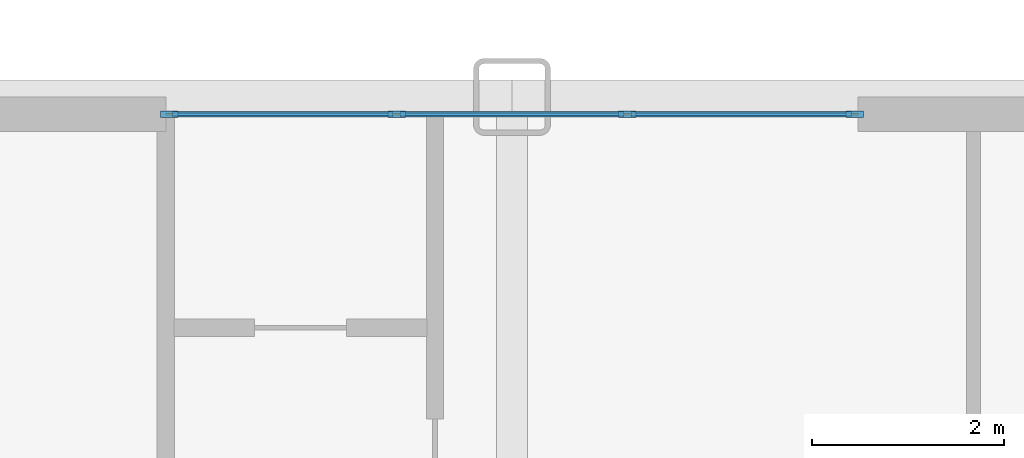
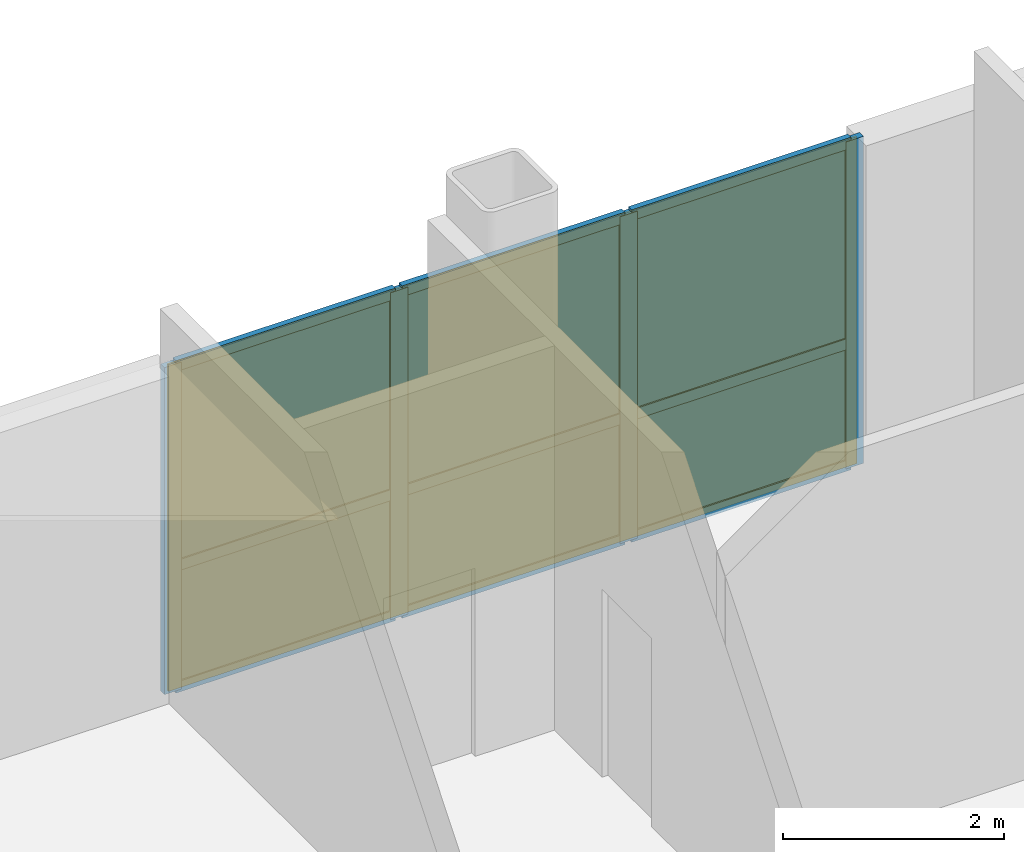
# One storey, part 10 of 15: 13 members, 6 plates, 1 curtain wall.
"""IFC4 building model written with IfcOpenShell, lengths in metres."""

import ifcopenshell
import ifcopenshell.guid

model = None  # the IFC model being written
_history = None  # IfcOwnerHistory: only IFC2X3 demands one
_inside = {}  # id of a spatial element -> (the spatial element, [elements in it])
_under = {}  # id of a project, library or spatial element -> (it, [spatial elements below it])
_declared = {}  # id of a project -> (the project, [libraries it declares])
_typed = {}  # id of a type object -> (the type object, [elements of that type])
_made_of = {}  # id of a material, layer set ... -> (it, [elements and type objects made of it])


def new_model(schema):
    """Start an empty IFC model of exactly this schema.

    Asked for "IFC4X3", IfcOpenShell would pick the latest addendum, in which some entities
    have other attributes; the version numbers below select the first issue.
    IFC2X3 requires an IfcOwnerHistory on every rooted entity: one is made here for all.
    """
    global model, _history
    if schema == "IFC4X3":
        model = ifcopenshell.file(schema_version=(4, 3, 0, 0))
    else:
        model = ifcopenshell.file(schema=schema)
    _inside.clear()
    _under.clear()
    _declared.clear()
    _typed.clear()
    _made_of.clear()
    _history = None
    if model.schema == "IFC2X3":
        org = make("IfcOrganization", Name="unknown")
        user = make(
            "IfcPersonAndOrganization",
            ThePerson=make("IfcPerson", FamilyName="unknown"),
            TheOrganization=org,
        )
        app = make(
            "IfcApplication",
            ApplicationDeveloper=org,
            Version="unknown",
            ApplicationFullName="unknown",
            ApplicationIdentifier="unknown",
        )
        _history = make(
            "IfcOwnerHistory",
            OwningUser=user,
            OwningApplication=app,
            ChangeAction="ADDED",
            CreationDate=0,
        )
    return model


def make(cls, **values):
    """One entity of the class cls with the attributes given. An attribute that is None is left unset."""
    return model.create_entity(
        cls, **{name: value for name, value in values.items() if value is not None}
    )


def rooted(cls, **values):
    """An entity with a GlobalId (a new one), such as an element, a storey or a relation."""
    return make(cls, GlobalId=ifcopenshell.guid.new(), OwnerHistory=_history, **values)


def si_unit(unit_type, name, prefix=None):
    """IfcSIUnit, for example si_unit("LENGTHUNIT", "METRE", prefix="MILLI")."""
    return make("IfcSIUnit", UnitType=unit_type, Prefix=prefix, Name=name)


def assignment(units):
    """IfcUnitAssignment: the units of a project."""
    return None if units is None else make("IfcUnitAssignment", Units=units)


def point(xyz):
    """IfcCartesianPoint."""
    return None if xyz is None else make("IfcCartesianPoint", Coordinates=xyz)


def direction(xyz):
    """IfcDirection."""
    return None if xyz is None else make("IfcDirection", DirectionRatios=xyz)


def frame(location, z_axis=None, x_axis=None):
    """IfcAxis2Placement3D, a coordinate frame: its origin and axes. An axis left out is left unset."""
    return make(
        "IfcAxis2Placement3D",
        Location=point(location),
        Axis=direction(z_axis),
        RefDirection=direction(x_axis),
    )


def frame_2d(location, x_axis=None):
    """IfcAxis2Placement2D, a coordinate frame in the plane: its origin and x axis."""
    return make(
        "IfcAxis2Placement2D", Location=point(location), RefDirection=direction(x_axis)
    )


def origin():
    """The frame at (0, 0, 0) with its axes left unset."""
    return frame((0.0, 0.0, 0.0))


def origin_2d():
    """The frame at (0, 0) in the plane with its x axis left unset."""
    return frame_2d((0.0, 0.0))


def place(relative_to, where):
    """IfcLocalPlacement: puts the frame where relative to a parent placement (None: the world)."""
    return make(
        "IfcLocalPlacement", PlacementRelTo=relative_to, RelativePlacement=where
    )


def context(
    kind, dimensions, precision=None, world=None, true_north=None, identifier=None
):
    """IfcGeometricRepresentationContext, for example the 3D "Model" context."""
    return make(
        "IfcGeometricRepresentationContext",
        ContextIdentifier=identifier,
        ContextType=kind,
        CoordinateSpaceDimension=dimensions,
        Precision=precision,
        WorldCoordinateSystem=world,
        TrueNorth=true_north,
    )


def subcontext(parent, identifier, kind, view, scale=None):
    """IfcGeometricRepresentationSubContext, for example "Body" below "Model"."""
    return make(
        "IfcGeometricRepresentationSubContext",
        ContextIdentifier=identifier,
        ContextType=kind,
        ParentContext=parent,
        TargetScale=scale,
        TargetView=view,
    )


def project(units=None, contexts=None):
    """IfcProject with its units and contexts."""
    return rooted(
        "IfcProject",
        Name="project",
        RepresentationContexts=contexts,
        UnitsInContext=assignment(units),
    )


def spatial(cls, under=None, at=None, **own):
    """A site, building, storey or space (cls), placed at a placement, below another one or the project."""
    s = rooted(cls, ObjectPlacement=at, **own)
    if under is not None:
        _under.setdefault(under.id(), (under, []))[1].append(s)
    return s


def profile(cls, at=None, kind="AREA", **sizes):
    """A parametric profile (cls). Its sizes go by their IFC names, for example OverallWidth=200.0."""
    return make(cls, ProfileType=kind, Position=at, **sizes)


def rectangle(**sizes):
    """IfcRectangleProfileDef."""
    return profile("IfcRectangleProfileDef", **sizes)


def extrude(swept, where, along, depth):
    """IfcExtrudedAreaSolid: the profile swept, set in the frame where, extruded along a direction by depth."""
    return make(
        "IfcExtrudedAreaSolid",
        SweptArea=swept,
        Position=where,
        ExtrudedDirection=direction(along),
        Depth=depth,
    )


def shape(context_of_items, identifier, shape_type, items):
    """IfcShapeRepresentation: the items that make up one representation, for example the "Body"."""
    return make(
        "IfcShapeRepresentation",
        ContextOfItems=context_of_items,
        RepresentationIdentifier=identifier,
        RepresentationType=shape_type,
        Items=items,
    )


def source(mapping_origin, context_of_items, identifier, shape_type, items):
    """IfcRepresentationMap: a shape defined once, which mapped items show again and again."""
    return make(
        "IfcRepresentationMap",
        MappingOrigin=mapping_origin,
        MappedRepresentation=shape(context_of_items, identifier, shape_type, items),
    )


def transform(
    local_origin,
    x_axis=None,
    y_axis=None,
    z_axis=None,
    scale=None,
    scale2=None,
    scale3=None,
    uniform=True,
):
    """IfcCartesianTransformationOperator3D, or its non-uniform kind. x_axis, y_axis, z_axis: its Axis1, 2, 3."""
    if uniform:
        return make(
            "IfcCartesianTransformationOperator3D",
            Axis1=direction(x_axis),
            Axis2=direction(y_axis),
            LocalOrigin=point(local_origin),
            Scale=scale,
            Axis3=direction(z_axis),
        )
    return make(
        "IfcCartesianTransformationOperator3DnonUniform",
        Axis1=direction(x_axis),
        Axis2=direction(y_axis),
        LocalOrigin=point(local_origin),
        Scale=scale,
        Axis3=direction(z_axis),
        Scale2=scale2,
        Scale3=scale3,
    )


def mapped(mapping_source, mapping_target):
    """IfcMappedItem: shows the shape of a source again, moved by a transform."""
    return make(
        "IfcMappedItem", MappingSource=mapping_source, MappingTarget=mapping_target
    )


def material(Name=None, Category=None):
    """IfcMaterial."""
    return make("IfcMaterial", Name=Name, Category=Category)


def layer(
    of_material, thickness, ventilated=None, Name=None, Category=None, Priority=None
):
    """IfcMaterialLayer: one layer of a wall or slab, of a material (None: an air gap)."""
    return make(
        "IfcMaterialLayer",
        Material=of_material,
        LayerThickness=thickness,
        IsVentilated=ventilated,
        Name=Name,
        Category=Category,
        Priority=Priority,
    )


def layer_set(layers, Name=None):
    """IfcMaterialLayerSet."""
    return make("IfcMaterialLayerSet", MaterialLayers=layers, LayerSetName=Name)


def material_profile(
    of_material, cross_section, Name=None, Category=None, Priority=None
):
    """IfcMaterialProfile: a cross section and its material."""
    return make(
        "IfcMaterialProfile",
        Name=Name,
        Material=of_material,
        Profile=cross_section,
        Priority=Priority,
        Category=Category,
    )


def profile_set(profiles, Name=None, composite=None):
    """IfcMaterialProfileSet."""
    return make(
        "IfcMaterialProfileSet",
        Name=Name,
        MaterialProfiles=profiles,
        CompositeProfile=composite,
    )


def made_of(thing, what):
    """Note that an element or type object is made of a material, layer set ...; save() writes the relation."""
    if what is not None:
        _made_of.setdefault(what.id(), (what, []))[1].append(thing)
    return thing


def type_object(cls, material=None, **own):
    """A type object (cls), such as IfcWallType, which elements share."""
    return made_of(rooted(cls, **own), material)


def type_shapes(of_type, sources):
    """Give a type object the sources (RepresentationMaps) that its elements show as mapped items."""
    of_type.RepresentationMaps = sources


def element(
    cls,
    number,
    at=None,
    inside=None,
    cuts=None,
    type_object=None,
    material=None,
    context=None,
    identifier="Body",
    shape_type=None,
    held_by="IfcProductDefinitionShape",
    body=None,
    shapes=None,
    **own,
):
    """One element of the class cls, such as IfcWall. Its Tag is "e" and its number.

    at: its placement. inside: the storey or other place that contains it. cuts: it is an
    opening in that element (IfcRelVoidsElement). A single representation is given by context,
    identifier, shape_type and body (its items); several are given by shapes. held_by: the class
    of the entity that holds the representations. save() writes the other relations.
    """
    e = rooted(cls, Tag="e%d" % number, ObjectPlacement=at, **own)
    if body is not None:
        shapes = [shape(context, identifier, shape_type, body)]
    if shapes is not None:
        e.Representation = make(held_by, Representations=shapes)
    if inside is not None:
        _inside.setdefault(inside.id(), (inside, []))[1].append(e)
    if cuts is not None:
        rooted(
            "IfcRelVoidsElement", RelatingBuildingElement=cuts, RelatedOpeningElement=e
        )
    if type_object is not None:
        _typed.setdefault(type_object.id(), (type_object, []))[1].append(e)
    return made_of(e, material)


def aggregate(whole, parts):
    """IfcRelAggregates: a whole, such as a stair, and the parts it consists of."""
    return rooted("IfcRelAggregates", RelatingObject=whole, RelatedObjects=parts)


def save(model, path):
    """Write the relations noted so far, then the file.

    IfcRelAggregates (storeys below a building ...), IfcRelContainedInSpatialStructure (elements
    in a storey), IfcRelDefinesByType, IfcRelAssociatesMaterial and IfcRelDeclares: one each for
    every whole, place, type object, material and project.
    """
    for whole, parts in _under.values():
        aggregate(whole, parts)
    for where, things in _inside.values():
        rooted(
            "IfcRelContainedInSpatialStructure",
            RelatedElements=things,
            RelatingStructure=where,
        )
    for kind, things in _typed.values():
        rooted("IfcRelDefinesByType", RelatedObjects=things, RelatingType=kind)
    for what, things in _made_of.values():
        rooted("IfcRelAssociatesMaterial", RelatedObjects=things, RelatingMaterial=what)
    for by, libraries in _declared.values():
        rooted("IfcRelDeclares", RelatingContext=by, RelatedDefinitions=libraries)
    model.write(path)


model = new_model("IFC4")

# Units and contexts
model_context = context("Model", 3, precision=1e-05, world=origin(), true_north=direction((0.0, 1.0)))
body_context = subcontext(model_context, "Body", "Model", "MODEL_VIEW")
ifc_project = project(units=[si_unit("LENGTHUNIT", "METRE"), si_unit("AREAUNIT", "SQUARE_METRE"), si_unit("VOLUMEUNIT", "CUBIC_METRE"), si_unit("PLANEANGLEUNIT", "RADIAN"), si_unit("MASSUNIT", "GRAM", prefix="KILO")], contexts=[model_context])

# Member
ifc_material_1 = material(Name="Anodised aluminium 6063-T6", Category="aluminium")
ifc_material_profile_1 = material_profile(ifc_material_1, rectangle(XDim=0.070068359375, YDim=0.179931640625, at=origin_2d()), Name="ALU-MULL-70x180")
ifc_profile_set_1 = profile_set([ifc_material_profile_1], Name="Anodised aluminium 6063-T6")
member_type_1 = type_object("IfcMemberType", Name="CWM-2", PredefinedType="MULLION", material=ifc_profile_set_1)
site_placement = place(None, origin())
building_placement = place(site_placement, origin())
storey_placement = place(building_placement, frame((0.0, 0.0, 9.199951171875)))
member_1_placement = place(storey_placement, frame((-22.56494140625, 25.820068359375, 0.0), z_axis=(0.0, 0.0, 1.0), x_axis=(0.0, 1.0, 0.0)))
member_1 = element("IfcMember", 1, at=member_1_placement, type_object=member_type_1, Name="CWS-2 mullion 1", PredefinedType="MULLION", context=body_context, shape_type="SweptSolid", body=[
    extrude(rectangle(XDim=0.070068359375, YDim=0.179931640625, at=origin_2d()), origin(), (0.0, 0.0, 1.0), 3.614990234375),
])

member_2_placement = place(storey_placement, frame((-20.199951171875, 25.820068359375, 0.0), z_axis=(0.0, 0.0, 1.0), x_axis=(0.0, 1.0, 0.0)))
member_2 = element("IfcMember", 2, at=member_2_placement, type_object=member_type_1, Name="CWS-2 mullion 2", PredefinedType="MULLION", context=body_context, shape_type="SweptSolid", body=[
    extrude(rectangle(XDim=0.070068359375, YDim=0.179931640625, at=origin_2d()), origin(), (0.0, 0.0, 1.0), 3.614990234375),
])

member_3_placement = place(storey_placement, frame((-17.800048828125, 25.820068359375, 0.0), z_axis=(0.0, 0.0, 1.0), x_axis=(0.0, 1.0, 0.0)))
member_3 = element("IfcMember", 3, at=member_3_placement, type_object=member_type_1, Name="CWS-2 mullion 3", PredefinedType="MULLION", context=body_context, shape_type="SweptSolid", body=[
    extrude(rectangle(XDim=0.070068359375, YDim=0.179931640625, at=origin_2d()), origin(), (0.0, 0.0, 1.0), 3.614990234375),
])

member_4_placement = place(storey_placement, frame((-15.43505859375, 25.820068359375, 0.0), z_axis=(0.0, 0.0, 1.0), x_axis=(0.0, 1.0, 0.0)))
member_4 = element("IfcMember", 4, at=member_4_placement, type_object=member_type_1, Name="CWS-2 mullion 4", PredefinedType="MULLION", context=body_context, shape_type="SweptSolid", body=[
    extrude(rectangle(XDim=0.070068359375, YDim=0.179931640625, at=origin_2d()), origin(), (0.0, 0.0, 1.0), 3.614990234375),
])

ifc_material_profile_2 = material_profile(ifc_material_1, rectangle(XDim=0.06005859375, YDim=0.1201171875, at=origin_2d()), Name="ALU-TRAN-60x120")
ifc_profile_set_2 = profile_set([ifc_material_profile_2], Name="Anodised aluminium 6063-T6")
member_type_2 = type_object("IfcMemberType", Name="CWT-2", PredefinedType="USERDEFINED", material=ifc_profile_set_2)
member_5_placement = place(storey_placement, frame((-22.530029296875, 25.820068359375, 0.030029296875), z_axis=(1.0, 0.0, 0.0), x_axis=(0.0, 1.0, 0.0)))
member_5 = element("IfcMember", 5, at=member_5_placement, type_object=member_type_2, Name="CWS-2 transom 1.1", ObjectType="TRANSOM", PredefinedType="USERDEFINED", context=body_context, shape_type="SweptSolid", body=[
    extrude(rectangle(XDim=0.06005859375, YDim=0.1201171875, at=origin_2d()), origin(), (0.0, 0.0, 1.0), 2.294921875),
])

member_6_placement = place(storey_placement, frame((-22.530029296875, 25.820068359375, 1.373779296875), z_axis=(1.0, 0.0, 0.0), x_axis=(0.0, 1.0, 0.0)))
member_6 = element("IfcMember", 6, at=member_6_placement, type_object=member_type_2, Name="CWS-2 transom 1.2", ObjectType="TRANSOM", PredefinedType="USERDEFINED", context=body_context, shape_type="SweptSolid", body=[
    extrude(rectangle(XDim=0.06005859375, YDim=0.1201171875, at=origin_2d()), origin(), (0.0, 0.0, 1.0), 2.294921875),
])

member_7_placement = place(storey_placement, frame((-22.530029296875, 25.820068359375, 3.5849609375), z_axis=(1.0, 0.0, 0.0), x_axis=(0.0, 1.0, 0.0)))
member_7 = element("IfcMember", 7, at=member_7_placement, type_object=member_type_2, Name="CWS-2 transom 1.3", ObjectType="TRANSOM", PredefinedType="USERDEFINED", context=body_context, shape_type="SweptSolid", body=[
    extrude(rectangle(XDim=0.06005859375, YDim=0.1201171875, at=origin_2d()), origin(), (0.0, 0.0, 1.0), 2.294921875),
])

member_8_placement = place(storey_placement, frame((-20.1650390625, 25.820068359375, 0.030029296875), z_axis=(1.0, 0.0, 0.0), x_axis=(0.0, 1.0, 0.0)))
member_8 = element("IfcMember", 8, at=member_8_placement, type_object=member_type_2, Name="CWS-2 transom 2.1", ObjectType="TRANSOM", PredefinedType="USERDEFINED", context=body_context, shape_type="SweptSolid", body=[
    extrude(rectangle(XDim=0.06005859375, YDim=0.1201171875, at=origin_2d()), origin(), (0.0, 0.0, 1.0), 2.330078125),
])

member_9_placement = place(storey_placement, frame((-20.1650390625, 25.820068359375, 1.373779296875), z_axis=(1.0, 0.0, 0.0), x_axis=(0.0, 1.0, 0.0)))
member_9 = element("IfcMember", 9, at=member_9_placement, type_object=member_type_2, Name="CWS-2 transom 2.2", ObjectType="TRANSOM", PredefinedType="USERDEFINED", context=body_context, shape_type="SweptSolid", body=[
    extrude(rectangle(XDim=0.06005859375, YDim=0.1201171875, at=origin_2d()), origin(), (0.0, 0.0, 1.0), 2.330078125),
])

member_10_placement = place(storey_placement, frame((-20.1650390625, 25.820068359375, 3.5849609375), z_axis=(1.0, 0.0, 0.0), x_axis=(0.0, 1.0, 0.0)))
member_10 = element("IfcMember", 10, at=member_10_placement, type_object=member_type_2, Name="CWS-2 transom 2.3", ObjectType="TRANSOM", PredefinedType="USERDEFINED", context=body_context, shape_type="SweptSolid", body=[
    extrude(rectangle(XDim=0.06005859375, YDim=0.1201171875, at=origin_2d()), origin(), (0.0, 0.0, 1.0), 2.330078125),
])

member_11_placement = place(storey_placement, frame((-17.764892578125, 25.820068359375, 0.030029296875), z_axis=(1.0, 0.0, 0.0), x_axis=(0.0, 1.0, 0.0)))
member_11 = element("IfcMember", 11, at=member_11_placement, type_object=member_type_2, Name="CWS-2 transom 3.1", ObjectType="TRANSOM", PredefinedType="USERDEFINED", context=body_context, shape_type="SweptSolid", body=[
    extrude(rectangle(XDim=0.06005859375, YDim=0.1201171875, at=origin_2d()), origin(), (0.0, 0.0, 1.0), 2.294921875),
])

member_12_placement = place(storey_placement, frame((-17.764892578125, 25.820068359375, 1.373779296875), z_axis=(1.0, 0.0, 0.0), x_axis=(0.0, 1.0, 0.0)))
member_12 = element("IfcMember", 12, at=member_12_placement, type_object=member_type_2, Name="CWS-2 transom 3.2", ObjectType="TRANSOM", PredefinedType="USERDEFINED", context=body_context, shape_type="SweptSolid", body=[
    extrude(rectangle(XDim=0.06005859375, YDim=0.1201171875, at=origin_2d()), origin(), (0.0, 0.0, 1.0), 2.294921875),
])

member_13_placement = place(storey_placement, frame((-17.764892578125, 25.820068359375, 3.5849609375), z_axis=(1.0, 0.0, 0.0), x_axis=(0.0, 1.0, 0.0)))
member_13 = element("IfcMember", 13, at=member_13_placement, type_object=member_type_2, Name="CWS-2 transom 3.3", ObjectType="TRANSOM", PredefinedType="USERDEFINED", context=body_context, shape_type="SweptSolid", body=[
    extrude(rectangle(XDim=0.06005859375, YDim=0.1201171875, at=origin_2d()), origin(), (0.0, 0.0, 1.0), 2.294921875),
])

# Plate
ifc_material_2 = material(Name="Insulated solar-control glass", Category="glass")
ifc_layer_1 = layer(ifc_material_2, 0.030029296875, Name="CWP-2")
ifc_layer_set_1 = layer_set([ifc_layer_1], Name="Insulated solar-control glass")
plate_type = type_object("IfcPlateType", Name="CWP-2", PredefinedType="CURTAIN_PANEL", material=ifc_layer_set_1)
shared_shape_1 = source(origin(), body_context, "Body", "SweptSolid", [
    extrude(rectangle(XDim=2.294921875, YDim=0.030029296875, at=origin_2d()), origin(), (0.0, 0.0, 1.0), 1.28369140625),
])
plate_1_placement = place(storey_placement, frame((-21.382568359375, 25.820068359375, 0.06005859375), z_axis=(0.0, 0.0, 1.0), x_axis=(1.0, 0.0, 0.0)))
plate_1 = element("IfcPlate", 14, at=plate_1_placement, type_object=plate_type, Name="CWS-2 panel 1.1", PredefinedType="CURTAIN_PANEL", context=body_context, shape_type="MappedRepresentation", body=[
    mapped(shared_shape_1, transform((0.0, 0.0, 0.0), scale=1.0)),
])

plate_2_placement = place(storey_placement, frame((-16.617431640625, 25.820068359375, 0.06005859375), z_axis=(0.0, 0.0, 1.0), x_axis=(1.0, 0.0, 0.0)))
plate_2 = element("IfcPlate", 15, at=plate_2_placement, type_object=plate_type, Name="CWS-2 panel 3.1", PredefinedType="CURTAIN_PANEL", context=body_context, shape_type="MappedRepresentation", body=[
    mapped(shared_shape_1, transform((0.0, 0.0, 0.0), scale=1.0)),
])

shared_shape_2 = source(origin(), body_context, "Body", "SweptSolid", [
    extrude(rectangle(XDim=2.294921875, YDim=0.030029296875, at=origin_2d()), origin(), (0.0, 0.0, 1.0), 2.1513671875),
])
plate_3_placement = place(storey_placement, frame((-21.382568359375, 25.820068359375, 1.40380859375), z_axis=(0.0, 0.0, 1.0), x_axis=(1.0, 0.0, 0.0)))
plate_3 = element("IfcPlate", 16, at=plate_3_placement, type_object=plate_type, Name="CWS-2 panel 1.2", PredefinedType="CURTAIN_PANEL", context=body_context, shape_type="MappedRepresentation", body=[
    mapped(shared_shape_2, transform((0.0, 0.0, 0.0), scale=1.0)),
])

plate_4_placement = place(storey_placement, frame((-16.617431640625, 25.820068359375, 1.40380859375), z_axis=(0.0, 0.0, 1.0), x_axis=(1.0, 0.0, 0.0)))
plate_4 = element("IfcPlate", 17, at=plate_4_placement, type_object=plate_type, Name="CWS-2 panel 3.2", PredefinedType="CURTAIN_PANEL", context=body_context, shape_type="MappedRepresentation", body=[
    mapped(shared_shape_2, transform((0.0, 0.0, 0.0), scale=1.0)),
])

shared_shape_3 = source(origin(), body_context, "Body", "SweptSolid", [
    extrude(rectangle(XDim=2.330078125, YDim=0.030029296875, at=origin_2d()), origin(), (0.0, 0.0, 1.0), 1.28369140625),
])
plate_5_placement = place(storey_placement, frame((-19.0, 25.820068359375, 0.06005859375), z_axis=(0.0, 0.0, 1.0), x_axis=(1.0, 0.0, 0.0)))
plate_5 = element("IfcPlate", 18, at=plate_5_placement, type_object=plate_type, Name="CWS-2 panel 2.1", PredefinedType="CURTAIN_PANEL", context=body_context, shape_type="MappedRepresentation", body=[
    mapped(shared_shape_3, transform((0.0, 0.0, 0.0), scale=1.0)),
])

shared_shape_4 = source(origin(), body_context, "Body", "SweptSolid", [
    extrude(rectangle(XDim=2.330078125, YDim=0.030029296875, at=origin_2d()), origin(), (0.0, 0.0, 1.0), 2.1513671875),
])
type_shapes(plate_type, [shared_shape_1, shared_shape_2, shared_shape_3, shared_shape_4])
plate_6_placement = place(storey_placement, frame((-19.0, 25.820068359375, 1.40380859375), z_axis=(0.0, 0.0, 1.0), x_axis=(1.0, 0.0, 0.0)))
plate_6 = element("IfcPlate", 19, at=plate_6_placement, type_object=plate_type, Name="CWS-2 panel 2.2", PredefinedType="CURTAIN_PANEL", context=body_context, shape_type="MappedRepresentation", body=[
    mapped(shared_shape_4, transform((0.0, 0.0, 0.0), scale=1.0)),
])

# Site, building, storey
site = spatial("IfcSite", under=ifc_project, at=site_placement, CompositionType="ELEMENT")
building = spatial("IfcBuilding", under=site, at=building_placement, Name="Nuvemarco Arch Tower", CompositionType="ELEMENT")
storey = spatial("IfcBuildingStorey", under=building, at=storey_placement, Name="L02", CompositionType="ELEMENT", Elevation=9.199951171875)

# Curtain wall
ifc_layer_2 = layer(ifc_material_2, 0.179931640625, Name="CW-SYS-2")
ifc_layer_set_2 = layer_set([ifc_layer_2], Name="Insulated solar-control glass")
curtain_wall_type = type_object("IfcCurtainWallType", Name="CW-SYS-2", PredefinedType="NOTDEFINED", material=ifc_layer_set_2)
curtain_wall_placement = place(storey_placement, frame((-22.60009765625, 25.820068359375, 0.0), z_axis=(0.0, 0.0, 1.0), x_axis=(1.0, 0.0, 0.0)))
curtain_wall = element("IfcCurtainWall", 20, at=curtain_wall_placement, inside=storey, type_object=curtain_wall_type, Name="L02 curtain wall CWS-2", PredefinedType="NOTDEFINED", context=body_context, shape_type="SweptSolid", body=[
    extrude(rectangle(XDim=7.2001953125, YDim=0.02001953125, at=frame_2d((3.60009765625, 0.0))), origin(), (0.0, 0.0, 1.0), 3.614990234375),
])

aggregate(curtain_wall, [member_1, member_2, member_3, member_4, member_5, member_6, member_7, plate_1, plate_3, member_8, member_9, member_10, plate_5, plate_6, member_11, member_12, member_13, plate_2, plate_4])

save(model, "model.ifc")
